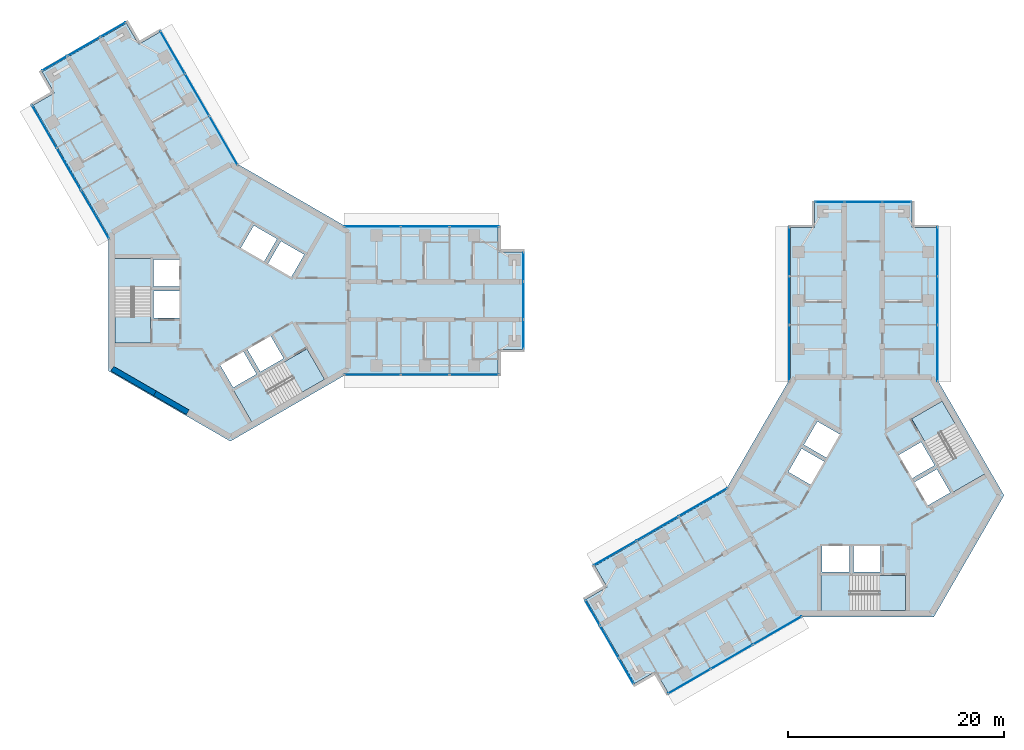
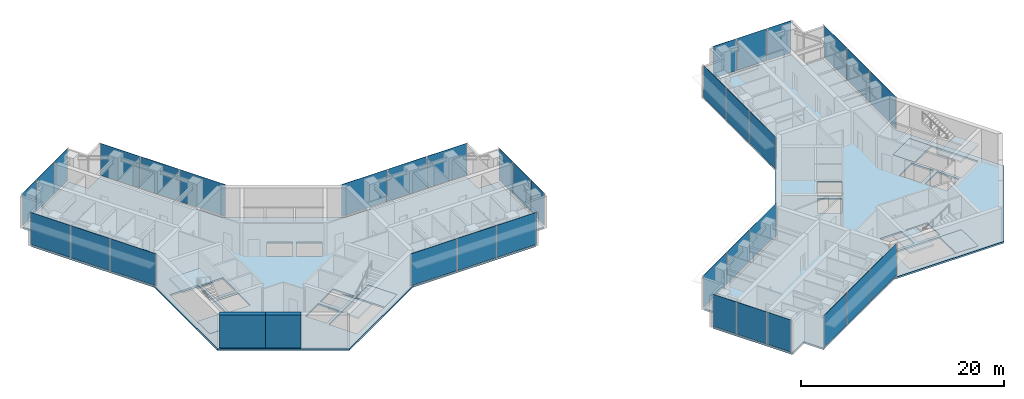
# One storey, part 10 of 17: 36 plates, 10 slabs, 2 walls, 16 elements without a shape of their own.
"""IFC4 building model written with IfcOpenShell, lengths in metres."""

from ifc_helpers import new_model, si_unit, direction, frame, frame_2d, origin, origin_2d, place, context, subcontext, project, spatial, polyline, rectangle, outline, extrude, material, layer, layer_set, type_object, element, aggregate, save


model = new_model("IFC4")

# Units and contexts
model_context = context("Model", 3, precision=1e-05, world=origin(), true_north=direction((0.0, 1.0)))
body_context = subcontext(model_context, "Body", "Model", "MODEL_VIEW")
ifc_project = project(units=[si_unit("LENGTHUNIT", "METRE"), si_unit("AREAUNIT", "SQUARE_METRE"), si_unit("VOLUMEUNIT", "CUBIC_METRE"), si_unit("PLANEANGLEUNIT", "RADIAN"), si_unit("MASSUNIT", "GRAM", prefix="KILO")], contexts=[model_context])

# Site, building, storey
site_placement = place(None, origin())
site = spatial("IfcSite", under=ifc_project, at=site_placement, CompositionType="ELEMENT")
building_placement = place(site_placement, origin())
building = spatial("IfcBuilding", under=site, at=building_placement, Name="Upepo Twin Towers", CompositionType="ELEMENT")
storey_placement = place(building_placement, frame((0.0, 0.0, 230.5)))
storey = spatial("IfcBuildingStorey", under=building, at=storey_placement, Name="L56", CompositionType="ELEMENT", Elevation=230.5)

# Curtain wall, plates
ifc_material_1 = material(Name="Aluminium and fritted glass", Category="aluminium")
curtain_wall_type = type_object("IfcCurtainWallType", Name="Tower curtain wall TW3, fritted glass", PredefinedType="NOTDEFINED", material=ifc_material_1)
curtain_wall_1_placement = place(storey_placement, origin())
curtain_wall_1 = element("IfcCurtainWall", 1, at=curtain_wall_1_placement, inside=storey, type_object=curtain_wall_type, Name="T1 L56 wing A flank L curtain wall", PredefinedType="NOTDEFINED")
ifc_material_2 = material(Name="Ceramic-fritted laminated glass", Category="glass")
ifc_layer_1 = layer(ifc_material_2, 0.031982421875)
ifc_layer_set_1 = layer_set([ifc_layer_1], Name="Fritted glass panel, 60 per cent dot frit, 32 mm double glazed")
plate_type_1 = type_object("IfcPlateType", Name="Fritted glass panel, 60 per cent dot frit, 32 mm double glazed", PredefinedType="CURTAIN_PANEL", material=ifc_layer_set_1)
plate_1_placement = place(storey_placement, frame((13.134765625, 6.85009765625, 0.14990234375), z_axis=(0.0, 0.0, 1.0), x_axis=(1.0, 0.0, 0.0)))
plate_1 = element("IfcPlate", 2, at=plate_1_placement, type_object=plate_type_1, Name="T1 L56 wing A flank L curtain wall panel 1", PredefinedType="CURTAIN_PANEL", context=body_context, shape_type="SweptSolid", body=[
    extrude(rectangle(XDim=5.165283203125, YDim=0.031982421875, at=origin_2d()), origin(), (0.0, 0.0, 1.0), 3.85009765625),
])
plate_2_placement = place(storey_placement, frame((18.0, 6.85009765625, 0.14990234375), z_axis=(0.0, 0.0, 1.0), x_axis=(1.0, 0.0, 0.0)))
plate_2 = element("IfcPlate", 3, at=plate_2_placement, type_object=plate_type_1, Name="T1 L56 wing A flank L curtain wall panel 2", PredefinedType="CURTAIN_PANEL", context=body_context, shape_type="SweptSolid", body=[
    extrude(rectangle(XDim=4.43505859375, YDim=0.031982421875, at=origin_2d()), origin(), (0.0, 0.0, 1.0), 3.85009765625),
])
plate_3_placement = place(storey_placement, frame((22.53369140625, 6.85009765625, 0.14990234375), z_axis=(0.0, 0.0, 1.0), x_axis=(1.0, 0.0, 0.0)))
plate_3 = element("IfcPlate", 4, at=plate_3_placement, type_object=plate_type_1, Name="T1 L56 wing A flank L curtain wall panel 3", PredefinedType="CURTAIN_PANEL", context=body_context, shape_type="SweptSolid", body=[
    extrude(rectangle(XDim=4.50244140625, YDim=0.031982421875, at=origin_2d()), origin(), (0.0, 0.0, 1.0), 3.85009765625),
])
aggregate(curtain_wall_1, [plate_1, plate_2, plate_3])

curtain_wall_2_placement = place(storey_placement, origin())
curtain_wall_2 = element("IfcCurtainWall", 5, at=curtain_wall_2_placement, inside=storey, type_object=curtain_wall_type, Name="T1 L56 wing A flank R curtain wall", PredefinedType="NOTDEFINED")
plate_4_placement = place(storey_placement, frame((22.53369140625, -6.85009765625, 0.14990234375), z_axis=(0.0, 0.0, 1.0), x_axis=(-1.0, 0.0, 0.0)))
plate_4 = element("IfcPlate", 6, at=plate_4_placement, type_object=plate_type_1, Name="T1 L56 wing A flank R curtain wall panel 1", PredefinedType="CURTAIN_PANEL", context=body_context, shape_type="SweptSolid", body=[
    extrude(rectangle(XDim=4.50244140625, YDim=0.031982421875, at=origin_2d()), origin(), (0.0, 0.0, 1.0), 3.85009765625),
])
plate_5_placement = place(storey_placement, frame((18.0, -6.85009765625, 0.14990234375), z_axis=(0.0, 0.0, 1.0), x_axis=(-1.0, 0.0, 0.0)))
plate_5 = element("IfcPlate", 7, at=plate_5_placement, type_object=plate_type_1, Name="T1 L56 wing A flank R curtain wall panel 2", PredefinedType="CURTAIN_PANEL", context=body_context, shape_type="SweptSolid", body=[
    extrude(rectangle(XDim=4.43505859375, YDim=0.031982421875, at=origin_2d()), origin(), (0.0, 0.0, 1.0), 3.85009765625),
])
plate_6_placement = place(storey_placement, frame((13.134765625, -6.85009765625, 0.14990234375), z_axis=(0.0, 0.0, 1.0), x_axis=(-1.0, 0.0, 0.0)))
plate_6 = element("IfcPlate", 8, at=plate_6_placement, type_object=plate_type_1, Name="T1 L56 wing A flank R curtain wall panel 3", PredefinedType="CURTAIN_PANEL", context=body_context, shape_type="SweptSolid", body=[
    extrude(rectangle(XDim=5.165283203125, YDim=0.031982421875, at=origin_2d()), origin(), (0.0, 0.0, 1.0), 3.85009765625),
])
aggregate(curtain_wall_2, [plate_4, plate_5, plate_6])

# Curtain wall, plate
curtain_wall_3_placement = place(storey_placement, origin())
curtain_wall_3 = element("IfcCurtainWall", 9, at=curtain_wall_3_placement, inside=storey, type_object=curtain_wall_type, Name="T1 L56 wing A nose curtain wall", PredefinedType="NOTDEFINED")
plate_7_placement = place(storey_placement, frame((27.10009765625, 0.0, 0.14990234375), z_axis=(0.0, 0.0, 1.0), x_axis=(0.0, 1.0, 0.0)))
plate_7 = element("IfcPlate", 10, at=plate_7_placement, type_object=plate_type_1, Name="T1 L56 wing A nose curtain wall panel 2", PredefinedType="CURTAIN_PANEL", context=body_context, shape_type="SweptSolid", body=[
    extrude(rectangle(XDim=3.43505859375, YDim=0.031982421875, at=origin_2d()), origin(), (0.0, 0.0, 1.0), 3.85009765625),
])

# Curtain wall, plates
curtain_wall_4_placement = place(storey_placement, origin())
curtain_wall_4 = element("IfcCurtainWall", 11, at=curtain_wall_4_placement, inside=storey, type_object=curtain_wall_type, Name="T1 L56 wing B flank L curtain wall", PredefinedType="NOTDEFINED")
plate_8_placement = place(storey_placement, frame((-12.499755859375, 7.9501953125, 0.14990234375), z_axis=(0.0, 0.0, 1.0), x_axis=(-0.500000026527, 0.866025388469, 0.0)))
plate_8 = element("IfcPlate", 12, at=plate_8_placement, type_object=plate_type_1, Name="T1 L56 wing B flank L curtain wall panel 1", PredefinedType="CURTAIN_PANEL", context=body_context, shape_type="SweptSolid", body=[
    extrude(rectangle(XDim=5.165283203125, YDim=0.031982421875, at=origin_2d()), origin(), (0.0, 0.0, 1.0), 3.85009765625),
])
plate_9_placement = place(storey_placement, frame((-14.932373046875, 12.16357421875, 0.14990234375), z_axis=(0.0, 0.0, 1.0), x_axis=(-0.500000026527, 0.866025388469, 0.0)))
plate_9 = element("IfcPlate", 13, at=plate_9_placement, type_object=plate_type_1, Name="T1 L56 wing B flank L curtain wall panel 2", PredefinedType="CURTAIN_PANEL", context=body_context, shape_type="SweptSolid", body=[
    extrude(rectangle(XDim=4.43505859375, YDim=0.031982421875, at=origin_2d()), origin(), (0.0, 0.0, 1.0), 3.85009765625),
])
plate_10_placement = place(storey_placement, frame((-17.19921875, 16.08984375, 0.14990234375), z_axis=(0.0, 0.0, 1.0), x_axis=(-0.500000026527, 0.866025388469, 0.0)))
plate_10 = element("IfcPlate", 14, at=plate_10_placement, type_object=plate_type_1, Name="T1 L56 wing B flank L curtain wall panel 3", PredefinedType="CURTAIN_PANEL", context=body_context, shape_type="SweptSolid", body=[
    extrude(rectangle(XDim=4.50244140625, YDim=0.031982421875, at=origin_2d()), origin(), (0.0, 0.0, 1.0), 3.85009765625),
])
aggregate(curtain_wall_4, [plate_8, plate_9, plate_10])

curtain_wall_5_placement = place(storey_placement, origin())
curtain_wall_5 = element("IfcCurtainWall", 15, at=curtain_wall_5_placement, inside=storey, type_object=curtain_wall_type, Name="T1 L56 wing B flank R curtain wall", PredefinedType="NOTDEFINED")
plate_11_placement = place(storey_placement, frame((-5.334716796875, 22.939697265625, 0.14990234375), z_axis=(0.0, 0.0, 1.0), x_axis=(0.500000026527, -0.866025388469, 0.0)))
plate_11 = element("IfcPlate", 16, at=plate_11_placement, type_object=plate_type_1, Name="T1 L56 wing B flank R curtain wall panel 1", PredefinedType="CURTAIN_PANEL", context=body_context, shape_type="SweptSolid", body=[
    extrude(rectangle(XDim=4.50244140625, YDim=0.031982421875, at=origin_2d()), origin(), (0.0, 0.0, 1.0), 3.85009765625),
])
plate_12_placement = place(storey_placement, frame((-3.067626953125, 19.013427734375, 0.14990234375), z_axis=(0.0, 0.0, 1.0), x_axis=(0.500000026527, -0.866025388469, 0.0)))
plate_12 = element("IfcPlate", 17, at=plate_12_placement, type_object=plate_type_1, Name="T1 L56 wing B flank R curtain wall panel 2", PredefinedType="CURTAIN_PANEL", context=body_context, shape_type="SweptSolid", body=[
    extrude(rectangle(XDim=4.43505859375, YDim=0.031982421875, at=origin_2d()), origin(), (0.0, 0.0, 1.0), 3.85009765625),
])
plate_13_placement = place(storey_placement, frame((-0.635009765625, 14.800048828125, 0.14990234375), z_axis=(0.0, 0.0, 1.0), x_axis=(0.500000026527, -0.866025388469, 0.0)))
plate_13 = element("IfcPlate", 18, at=plate_13_placement, type_object=plate_type_1, Name="T1 L56 wing B flank R curtain wall panel 3", PredefinedType="CURTAIN_PANEL", context=body_context, shape_type="SweptSolid", body=[
    extrude(rectangle(XDim=5.165283203125, YDim=0.031982421875, at=origin_2d()), origin(), (0.0, 0.0, 1.0), 3.85009765625),
])
aggregate(curtain_wall_5, [plate_11, plate_12, plate_13])

# Curtain wall, plate
curtain_wall_6_placement = place(storey_placement, origin())
curtain_wall_6 = element("IfcCurtainWall", 19, at=curtain_wall_6_placement, inside=storey, type_object=curtain_wall_type, Name="T1 L56 wing B nose curtain wall", PredefinedType="NOTDEFINED")
plate_14_placement = place(storey_placement, frame((-13.550048828125, 23.46923828125, 0.14990234375), z_axis=(0.0, 0.0, 1.0), x_axis=(-0.866025386174, -0.500000030502, 0.0)))
plate_14 = element("IfcPlate", 20, at=plate_14_placement, type_object=plate_type_1, Name="T1 L56 wing B nose curtain wall panel 2", PredefinedType="CURTAIN_PANEL", context=body_context, shape_type="SweptSolid", body=[
    extrude(rectangle(XDim=3.43505859375, YDim=0.031982421875, at=origin_2d()), origin(), (0.0, 0.0, 1.0), 3.85009765625),
])

# Curtain wall, plates
curtain_wall_7_placement = place(storey_placement, origin())
curtain_wall_7 = element("IfcCurtainWall", 21, at=curtain_wall_7_placement, inside=storey, type_object=curtain_wall_type, Name="T2 L56 wing A flank L curtain wall", PredefinedType="NOTDEFINED")
plate_15_placement = place(storey_placement, frame((51.64990234375, -4.865234375, 0.14990234375), z_axis=(0.0, 0.0, 1.0), x_axis=(0.0, 1.0, 0.0)))
plate_15 = element("IfcPlate", 22, at=plate_15_placement, type_object=plate_type_1, Name="T2 L56 wing A flank L curtain wall panel 1", PredefinedType="CURTAIN_PANEL", context=body_context, shape_type="SweptSolid", body=[
    extrude(rectangle(XDim=5.165283203125, YDim=0.031982421875, at=origin_2d()), origin(), (0.0, 0.0, 1.0), 3.85009765625),
])
plate_16_placement = place(storey_placement, frame((51.64990234375, 0.0, 0.14990234375), z_axis=(0.0, 0.0, 1.0), x_axis=(0.0, 1.0, 0.0)))
plate_16 = element("IfcPlate", 23, at=plate_16_placement, type_object=plate_type_1, Name="T2 L56 wing A flank L curtain wall panel 2", PredefinedType="CURTAIN_PANEL", context=body_context, shape_type="SweptSolid", body=[
    extrude(rectangle(XDim=4.43505859375, YDim=0.031982421875, at=origin_2d()), origin(), (0.0, 0.0, 1.0), 3.85009765625),
])
plate_17_placement = place(storey_placement, frame((51.64990234375, 4.53369140625, 0.14990234375), z_axis=(0.0, 0.0, 1.0), x_axis=(0.0, 1.0, 0.0)))
plate_17 = element("IfcPlate", 24, at=plate_17_placement, type_object=plate_type_1, Name="T2 L56 wing A flank L curtain wall panel 3", PredefinedType="CURTAIN_PANEL", context=body_context, shape_type="SweptSolid", body=[
    extrude(rectangle(XDim=4.50244140625, YDim=0.031982421875, at=origin_2d()), origin(), (0.0, 0.0, 1.0), 3.85009765625),
])
aggregate(curtain_wall_7, [plate_15, plate_16, plate_17])

curtain_wall_8_placement = place(storey_placement, origin())
curtain_wall_8 = element("IfcCurtainWall", 25, at=curtain_wall_8_placement, inside=storey, type_object=curtain_wall_type, Name="T2 L56 wing A flank R curtain wall", PredefinedType="NOTDEFINED")
plate_18_placement = place(storey_placement, frame((65.35009765625, 4.53369140625, 0.14990234375), z_axis=(0.0, 0.0, 1.0), x_axis=(0.0, -1.0, 0.0)))
plate_18 = element("IfcPlate", 26, at=plate_18_placement, type_object=plate_type_1, Name="T2 L56 wing A flank R curtain wall panel 1", PredefinedType="CURTAIN_PANEL", context=body_context, shape_type="SweptSolid", body=[
    extrude(rectangle(XDim=4.50244140625, YDim=0.031982421875, at=origin_2d()), origin(), (0.0, 0.0, 1.0), 3.85009765625),
])
plate_19_placement = place(storey_placement, frame((65.35009765625, 0.0, 0.14990234375), z_axis=(0.0, 0.0, 1.0), x_axis=(0.0, -1.0, 0.0)))
plate_19 = element("IfcPlate", 27, at=plate_19_placement, type_object=plate_type_1, Name="T2 L56 wing A flank R curtain wall panel 2", PredefinedType="CURTAIN_PANEL", context=body_context, shape_type="SweptSolid", body=[
    extrude(rectangle(XDim=4.43505859375, YDim=0.031982421875, at=origin_2d()), origin(), (0.0, 0.0, 1.0), 3.85009765625),
])
plate_20_placement = place(storey_placement, frame((65.35009765625, -4.865234375, 0.14990234375), z_axis=(0.0, 0.0, 1.0), x_axis=(0.0, -1.0, 0.0)))
plate_20 = element("IfcPlate", 28, at=plate_20_placement, type_object=plate_type_1, Name="T2 L56 wing A flank R curtain wall panel 3", PredefinedType="CURTAIN_PANEL", context=body_context, shape_type="SweptSolid", body=[
    extrude(rectangle(XDim=5.165283203125, YDim=0.031982421875, at=origin_2d()), origin(), (0.0, 0.0, 1.0), 3.85009765625),
])
aggregate(curtain_wall_8, [plate_18, plate_19, plate_20])

# Curtain wall, plate
curtain_wall_9_placement = place(storey_placement, origin())
curtain_wall_9 = element("IfcCurtainWall", 29, at=curtain_wall_9_placement, inside=storey, type_object=curtain_wall_type, Name="T2 L56 wing A nose curtain wall", PredefinedType="NOTDEFINED")
plate_21_placement = place(storey_placement, frame((58.5, 9.10009765625, 0.14990234375), z_axis=(0.0, 0.0, 1.0), x_axis=(-1.0, 0.0, 0.0)))
plate_21 = element("IfcPlate", 30, at=plate_21_placement, type_object=plate_type_1, Name="T2 L56 wing A nose curtain wall panel 2", PredefinedType="CURTAIN_PANEL", context=body_context, shape_type="SweptSolid", body=[
    extrude(rectangle(XDim=3.43505859375, YDim=0.031982421875, at=origin_2d()), origin(), (0.0, 0.0, 1.0), 3.85009765625),
])

# Curtain wall, plates
curtain_wall_10_placement = place(storey_placement, origin())
curtain_wall_10 = element("IfcCurtainWall", 31, at=curtain_wall_10_placement, inside=storey, type_object=curtain_wall_type, Name="T2 L56 wing B flank L curtain wall", PredefinedType="NOTDEFINED")
plate_22_placement = place(storey_placement, frame((50.5498046875, -30.499755859375, 0.14990234375), z_axis=(0.0, 0.0, 1.0), x_axis=(-0.866025388469, -0.500000026527, 0.0)))
plate_22 = element("IfcPlate", 32, at=plate_22_placement, type_object=plate_type_1, Name="T2 L56 wing B flank L curtain wall panel 1", PredefinedType="CURTAIN_PANEL", context=body_context, shape_type="SweptSolid", body=[
    extrude(rectangle(XDim=5.165283203125, YDim=0.031982421875, at=origin_2d()), origin(), (0.0, 0.0, 1.0), 3.85009765625),
])
plate_23_placement = place(storey_placement, frame((46.33642578125, -32.932373046875, 0.14990234375), z_axis=(0.0, 0.0, 1.0), x_axis=(-0.866025388469, -0.500000026527, 0.0)))
plate_23 = element("IfcPlate", 33, at=plate_23_placement, type_object=plate_type_1, Name="T2 L56 wing B flank L curtain wall panel 2", PredefinedType="CURTAIN_PANEL", context=body_context, shape_type="SweptSolid", body=[
    extrude(rectangle(XDim=4.43505859375, YDim=0.031982421875, at=origin_2d()), origin(), (0.0, 0.0, 1.0), 3.85009765625),
])
plate_24_placement = place(storey_placement, frame((42.41015625, -35.19921875, 0.14990234375), z_axis=(0.0, 0.0, 1.0), x_axis=(-0.866025388469, -0.500000026527, 0.0)))
plate_24 = element("IfcPlate", 34, at=plate_24_placement, type_object=plate_type_1, Name="T2 L56 wing B flank L curtain wall panel 3", PredefinedType="CURTAIN_PANEL", context=body_context, shape_type="SweptSolid", body=[
    extrude(rectangle(XDim=4.50244140625, YDim=0.031982421875, at=origin_2d()), origin(), (0.0, 0.0, 1.0), 3.85009765625),
])
aggregate(curtain_wall_10, [plate_22, plate_23, plate_24])

curtain_wall_11_placement = place(storey_placement, origin())
curtain_wall_11 = element("IfcCurtainWall", 35, at=curtain_wall_11_placement, inside=storey, type_object=curtain_wall_type, Name="T2 L56 wing B flank R curtain wall", PredefinedType="NOTDEFINED")
plate_25_placement = place(storey_placement, frame((35.560302734375, -23.334716796875, 0.14990234375), z_axis=(0.0, 0.0, 1.0), x_axis=(0.866025388469, 0.500000026527, 0.0)))
plate_25 = element("IfcPlate", 36, at=plate_25_placement, type_object=plate_type_1, Name="T2 L56 wing B flank R curtain wall panel 1", PredefinedType="CURTAIN_PANEL", context=body_context, shape_type="SweptSolid", body=[
    extrude(rectangle(XDim=4.50244140625, YDim=0.031982421875, at=origin_2d()), origin(), (0.0, 0.0, 1.0), 3.85009765625),
])
plate_26_placement = place(storey_placement, frame((39.486572265625, -21.067626953125, 0.14990234375), z_axis=(0.0, 0.0, 1.0), x_axis=(0.866025388469, 0.500000026527, 0.0)))
plate_26 = element("IfcPlate", 37, at=plate_26_placement, type_object=plate_type_1, Name="T2 L56 wing B flank R curtain wall panel 2", PredefinedType="CURTAIN_PANEL", context=body_context, shape_type="SweptSolid", body=[
    extrude(rectangle(XDim=4.43505859375, YDim=0.031982421875, at=origin_2d()), origin(), (0.0, 0.0, 1.0), 3.85009765625),
])
plate_27_placement = place(storey_placement, frame((43.699951171875, -18.635009765625, 0.14990234375), z_axis=(0.0, 0.0, 1.0), x_axis=(0.866025388469, 0.500000026527, 0.0)))
plate_27 = element("IfcPlate", 38, at=plate_27_placement, type_object=plate_type_1, Name="T2 L56 wing B flank R curtain wall panel 3", PredefinedType="CURTAIN_PANEL", context=body_context, shape_type="SweptSolid", body=[
    extrude(rectangle(XDim=5.165283203125, YDim=0.031982421875, at=origin_2d()), origin(), (0.0, 0.0, 1.0), 3.85009765625),
])
aggregate(curtain_wall_11, [plate_25, plate_26, plate_27])

# Curtain wall, plate
curtain_wall_12_placement = place(storey_placement, origin())
curtain_wall_12 = element("IfcCurtainWall", 39, at=curtain_wall_12_placement, inside=storey, type_object=curtain_wall_type, Name="T2 L56 wing B nose curtain wall", PredefinedType="NOTDEFINED")
plate_28_placement = place(storey_placement, frame((35.03076171875, -31.550048828125, 0.14990234375), z_axis=(0.0, 0.0, 1.0), x_axis=(0.500000030502, -0.866025386174, 0.0)))
plate_28 = element("IfcPlate", 40, at=plate_28_placement, type_object=plate_type_1, Name="T2 L56 wing B nose curtain wall panel 2", PredefinedType="CURTAIN_PANEL", context=body_context, shape_type="SweptSolid", body=[
    extrude(rectangle(XDim=3.43505859375, YDim=0.031982421875, at=origin_2d()), origin(), (0.0, 0.0, 1.0), 3.85009765625),
])

# Plate
ifc_material_3 = material(Name="Clear laminated glass in opening sash", Category="glass")
ifc_layer_2 = layer(ifc_material_3, 0.031982421875)
ifc_layer_set_2 = layer_set([ifc_layer_2], Name="Operable glass panel, 32 mm double glazed")
plate_type_2 = type_object("IfcPlateType", Name="Operable glass panel, 32 mm double glazed", PredefinedType="CURTAIN_PANEL", material=ifc_layer_set_2)
plate_29_placement = place(storey_placement, frame((27.10009765625, -3.108642578125, 0.14990234375), z_axis=(0.0, 0.0, 1.0), x_axis=(0.0, 1.0, 0.0)))
plate_29 = element("IfcPlate", 41, at=plate_29_placement, type_object=plate_type_2, Name="T1 L56 wing A nose curtain wall panel 1", PredefinedType="CURTAIN_PANEL", context=body_context, shape_type="SweptSolid", body=[
    extrude(rectangle(XDim=2.652587890625, YDim=0.031982421875, at=origin_2d()), origin(), (0.0, 0.0, 1.0), 3.85009765625),
])

plate_30_placement = place(storey_placement, frame((27.10009765625, 3.108642578125, 0.14990234375), z_axis=(0.0, 0.0, 1.0), x_axis=(0.0, 1.0, 0.0)))
plate_30 = element("IfcPlate", 42, at=plate_30_placement, type_object=plate_type_2, Name="T1 L56 wing A nose curtain wall panel 3", PredefinedType="CURTAIN_PANEL", context=body_context, shape_type="SweptSolid", body=[
    extrude(rectangle(XDim=2.652587890625, YDim=0.031982421875, at=origin_2d()), origin(), (0.0, 0.0, 1.0), 3.85009765625),
])

aggregate(curtain_wall_3, [plate_29, plate_7, plate_30])

plate_31_placement = place(storey_placement, frame((-10.857666015625, 25.023681640625, 0.14990234375), z_axis=(0.0, 0.0, 1.0), x_axis=(-0.866025386174, -0.500000030502, 0.0)))
plate_31 = element("IfcPlate", 43, at=plate_31_placement, type_object=plate_type_2, Name="T1 L56 wing B nose curtain wall panel 1", PredefinedType="CURTAIN_PANEL", context=body_context, shape_type="SweptSolid", body=[
    extrude(rectangle(XDim=2.652587890625, YDim=0.031982421875, at=origin_2d()), origin(), (0.0, 0.0, 1.0), 3.85009765625),
])

plate_32_placement = place(storey_placement, frame((-16.2421875, 21.914794921875, 0.14990234375), z_axis=(0.0, 0.0, 1.0), x_axis=(-0.866025386174, -0.500000030502, 0.0)))
plate_32 = element("IfcPlate", 44, at=plate_32_placement, type_object=plate_type_2, Name="T1 L56 wing B nose curtain wall panel 3", PredefinedType="CURTAIN_PANEL", context=body_context, shape_type="SweptSolid", body=[
    extrude(rectangle(XDim=2.652587890625, YDim=0.031982421875, at=origin_2d()), origin(), (0.0, 0.0, 1.0), 3.85009765625),
])

aggregate(curtain_wall_6, [plate_31, plate_14, plate_32])

plate_33_placement = place(storey_placement, frame((61.608642578125, 9.10009765625, 0.14990234375), z_axis=(0.0, 0.0, 1.0), x_axis=(-1.0, 0.0, 0.0)))
plate_33 = element("IfcPlate", 45, at=plate_33_placement, type_object=plate_type_2, Name="T2 L56 wing A nose curtain wall panel 1", PredefinedType="CURTAIN_PANEL", context=body_context, shape_type="SweptSolid", body=[
    extrude(rectangle(XDim=2.652587890625, YDim=0.031982421875, at=origin_2d()), origin(), (0.0, 0.0, 1.0), 3.85009765625),
])

plate_34_placement = place(storey_placement, frame((55.391357421875, 9.10009765625, 0.14990234375), z_axis=(0.0, 0.0, 1.0), x_axis=(-1.0, 0.0, 0.0)))
plate_34 = element("IfcPlate", 46, at=plate_34_placement, type_object=plate_type_2, Name="T2 L56 wing A nose curtain wall panel 3", PredefinedType="CURTAIN_PANEL", context=body_context, shape_type="SweptSolid", body=[
    extrude(rectangle(XDim=2.652587890625, YDim=0.031982421875, at=origin_2d()), origin(), (0.0, 0.0, 1.0), 3.85009765625),
])

aggregate(curtain_wall_9, [plate_33, plate_21, plate_34])

plate_35_placement = place(storey_placement, frame((33.476318359375, -28.857666015625, 0.14990234375), z_axis=(0.0, 0.0, 1.0), x_axis=(0.500000030502, -0.866025386174, 0.0)))
plate_35 = element("IfcPlate", 47, at=plate_35_placement, type_object=plate_type_2, Name="T2 L56 wing B nose curtain wall panel 1", PredefinedType="CURTAIN_PANEL", context=body_context, shape_type="SweptSolid", body=[
    extrude(rectangle(XDim=2.652587890625, YDim=0.031982421875, at=origin_2d()), origin(), (0.0, 0.0, 1.0), 3.85009765625),
])

plate_36_placement = place(storey_placement, frame((36.585205078125, -34.2421875, 0.14990234375), z_axis=(0.0, 0.0, 1.0), x_axis=(0.500000030502, -0.866025386174, 0.0)))
plate_36 = element("IfcPlate", 48, at=plate_36_placement, type_object=plate_type_2, Name="T2 L56 wing B nose curtain wall panel 3", PredefinedType="CURTAIN_PANEL", context=body_context, shape_type="SweptSolid", body=[
    extrude(rectangle(XDim=2.652587890625, YDim=0.031982421875, at=origin_2d()), origin(), (0.0, 0.0, 1.0), 3.85009765625),
])

aggregate(curtain_wall_12, [plate_35, plate_28, plate_36])

# Stair, slabs
ifc_material_4 = material(Name="Concrete C40/50", Category="concrete")
stair_type = type_object("IfcStairType", Name="Core stair, two flights", PredefinedType="HALF_TURN_STAIR", material=ifc_material_4)
stair_1_placement = place(storey_placement, origin())
stair_1 = element("IfcStair", 49, at=stair_1_placement, inside=storey, type_object=stair_type, Name="T1 stair S1 L56", PredefinedType="HALF_TURN_STAIR")
ifc_material_5 = material(Name="Concrete C40/50", Category="concrete")
ifc_layer_3 = layer(ifc_material_5, 0.199951171875)
ifc_layer_set_3 = layer_set([ifc_layer_3], Name="Concrete C40/50")
slab_type_1 = type_object("IfcSlabType", Name="Stair landing 200 RC", PredefinedType="LANDING", material=ifc_layer_set_3)
slab_1_placement = place(storey_placement, frame((0.0, 0.0, -0.199951171875)))
slab_1 = element("IfcSlab", 50, at=slab_1_placement, type_object=slab_type_1, Name="Stair S1 landing 1", PredefinedType="LANDING", context=body_context, shape_type="SweptSolid", body=[
    extrude(outline(polyline([(-7.39990234375, -1.419921875), (-10.658447265625, -1.419921875), (-10.658447265625, -3.89990234375), (-7.39990234375, -3.89990234375), (-7.39990234375, -1.419921875)])), origin(), (0.0, 0.0, 1.0), 0.199951171875),
])
slab_2_placement = place(storey_placement, frame((0.0, 0.0, 1.800048828125)))
slab_2 = element("IfcSlab", 51, at=slab_2_placement, type_object=slab_type_1, Name="Stair S1 landing 2", PredefinedType="LANDING", context=body_context, shape_type="SweptSolid", body=[
    extrude(outline(polyline([(-7.300048828125, 3.89990234375), (-10.75830078125, 3.89990234375), (-10.75830078125, 1.179931640625), (-7.300048828125, 1.179931640625), (-7.300048828125, 3.89990234375)])), origin(), (0.0, 0.0, 1.0), 0.199951171875),
])
aggregate(stair_1, [slab_1, slab_2])

stair_2_placement = place(storey_placement, origin())
stair_2 = element("IfcStair", 52, at=stair_2_placement, inside=storey, type_object=stair_type, Name="T1 stair S2 L56", PredefinedType="HALF_TURN_STAIR")
slab_3_placement = place(storey_placement, frame((0.0, 0.0, -0.199951171875)))
slab_3 = element("IfcSlab", 53, at=slab_3_placement, type_object=slab_type_1, Name="Stair S2 landing 1", PredefinedType="LANDING", context=body_context, shape_type="SweptSolid", body=[
    extrude(outline(polyline([(4.9296875, -5.698486328125), (6.558837890625, -8.520263671875), (8.70654296875, -7.2802734375), (7.077392578125, -4.45849609375), (4.9296875, -5.698486328125)])), origin(), (0.0, 0.0, 1.0), 0.199951171875),
])
slab_4_placement = place(storey_placement, frame((0.0, 0.0, 1.800048828125)))
slab_4 = element("IfcSlab", 54, at=slab_4_placement, type_object=slab_type_1, Name="Stair S2 landing 2", PredefinedType="LANDING", context=body_context, shape_type="SweptSolid", body=[
    extrude(outline(polyline([(0.2724609375, -8.27197265625), (2.001708984375, -11.26708984375), (4.357177734375, -9.906982421875), (2.628173828125, -6.911865234375), (0.2724609375, -8.27197265625)])), origin(), (0.0, 0.0, 1.0), 0.199951171875),
])
aggregate(stair_2, [slab_3, slab_4])

stair_3_placement = place(storey_placement, origin())
stair_3 = element("IfcStair", 55, at=stair_3_placement, inside=storey, type_object=stair_type, Name="T2 stair S1 L56", PredefinedType="HALF_TURN_STAIR")
slab_5_placement = place(storey_placement, frame((0.0, 0.0, -0.199951171875)))
slab_5 = element("IfcSlab", 56, at=slab_5_placement, type_object=slab_type_1, Name="Stair S1 landing 1", PredefinedType="LANDING", context=body_context, shape_type="SweptSolid", body=[
    extrude(outline(polyline([(59.919921875, -25.39990234375), (59.919921875, -28.658447265625), (62.39990234375, -28.658447265625), (62.39990234375, -25.39990234375), (59.919921875, -25.39990234375)])), origin(), (0.0, 0.0, 1.0), 0.199951171875),
])
slab_6_placement = place(storey_placement, frame((0.0, 0.0, 1.800048828125)))
slab_6 = element("IfcSlab", 57, at=slab_6_placement, type_object=slab_type_1, Name="Stair S1 landing 2", PredefinedType="LANDING", context=body_context, shape_type="SweptSolid", body=[
    extrude(outline(polyline([(54.60009765625, -25.300048828125), (54.60009765625, -28.75830078125), (57.320068359375, -28.75830078125), (57.320068359375, -25.300048828125), (54.60009765625, -25.300048828125)])), origin(), (0.0, 0.0, 1.0), 0.199951171875),
])
aggregate(stair_3, [slab_5, slab_6])

stair_4_placement = place(storey_placement, origin())
stair_4 = element("IfcStair", 58, at=stair_4_placement, inside=storey, type_object=stair_type, Name="T2 stair S2 L56", PredefinedType="HALF_TURN_STAIR")
slab_7_placement = place(storey_placement, frame((0.0, 0.0, -0.199951171875)))
slab_7 = element("IfcSlab", 59, at=slab_7_placement, type_object=slab_type_1, Name="Stair S2 landing 1", PredefinedType="LANDING", context=body_context, shape_type="SweptSolid", body=[
    extrude(outline(polyline([(64.198486328125, -13.0703125), (67.020263671875, -11.441162109375), (65.7802734375, -9.29345703125), (62.95849609375, -10.922607421875), (64.198486328125, -13.0703125)])), origin(), (0.0, 0.0, 1.0), 0.199951171875),
])
slab_8_placement = place(storey_placement, frame((0.0, 0.0, 1.800048828125)))
slab_8 = element("IfcSlab", 60, at=slab_8_placement, type_object=slab_type_1, Name="Stair S2 landing 2", PredefinedType="LANDING", context=body_context, shape_type="SweptSolid", body=[
    extrude(outline(polyline([(66.77197265625, -17.7275390625), (69.76708984375, -15.998291015625), (68.406982421875, -13.642822265625), (65.411865234375, -15.371826171875), (66.77197265625, -17.7275390625)])), origin(), (0.0, 0.0, 1.0), 0.199951171875),
])
aggregate(stair_4, [slab_7, slab_8])

# Slabs
ifc_material_6 = material(Name="Concrete C40/50", Category="concrete")
ifc_layer_4 = layer(ifc_material_6, 0.199951171875)
ifc_layer_set_4 = layer_set([ifc_layer_4], Name="Concrete C40/50")
slab_type_2 = type_object("IfcSlabType", Name="Tower floor slab 200 RC", PredefinedType="FLOOR", material=ifc_layer_set_4)
slab_9_placement = place(storey_placement, frame((0.0, 0.0, -0.199951171875)))
element("IfcSlab", 61, at=slab_9_placement, inside=storey, type_object=slab_type_2, Name="T1 L56 floor slab", PredefinedType="FLOOR", context=body_context, shape_type="SweptSolid", body=[
    extrude(outline(polyline([(10.825439453125, 6.75), (24.75, 6.75), (24.75, 4.5), (27.0, 4.5), (27.0, -4.5), (24.75, -4.5), (24.75, -6.75), (10.825439453125, -6.75), (0.0, -13.0), (-11.25830078125, -6.5), (-11.25830078125, 6.0), (-18.220703125, 18.05908203125), (-16.272216796875, 19.18408203125), (-17.397216796875, 21.132568359375), (-9.602783203125, 25.632568359375), (-8.477783203125, 23.68408203125), (-6.529296875, 24.80908203125), (0.43310546875, 12.75), (10.825439453125, 6.75)]), holes=[polyline([(5.640869140625, 2.17041015625), (6.8408203125, 4.248779296875), (4.67578125, 5.498779296875), (3.475830078125, 3.42041015625), (5.640869140625, 2.17041015625)]), polyline([(3.12939453125, 3.620361328125), (4.329345703125, 5.69873046875), (2.164306640625, 6.94873046875), (0.96435546875, 4.870361328125), (3.12939453125, 3.620361328125)]), polyline([(-4.699951171875, 3.800048828125), (-7.10009765625, 3.800048828125), (-7.10009765625, 1.300048828125), (-4.699951171875, 1.300048828125), (-4.699951171875, 3.800048828125)]), polyline([(-4.699951171875, 0.89990234375), (-7.10009765625, 0.89990234375), (-7.10009765625, -1.60009765625), (-4.699951171875, -1.60009765625), (-4.699951171875, 0.89990234375)]), polyline([(-7.39990234375, 3.89990234375), (-10.658447265625, 3.89990234375), (-10.658447265625, -3.89990234375), (-7.39990234375, -3.89990234375), (-7.39990234375, 3.89990234375)]), polyline([(-0.94091796875, -5.97021484375), (0.259033203125, -8.048828125), (2.424072265625, -6.798828125), (1.22412109375, -4.72021484375), (-0.94091796875, -5.97021484375)]), polyline([(1.570556640625, -4.520263671875), (2.7705078125, -6.598876953125), (4.935546875, -5.348876953125), (3.735595703125, -3.270263671875), (1.570556640625, -4.520263671875)]), polyline([(0.322509765625, -8.358642578125), (1.95166015625, -11.180419921875), (8.70654296875, -7.2802734375), (7.077392578125, -4.45849609375), (0.322509765625, -8.358642578125)])]), origin(), (0.0, 0.0, 1.0), 0.199951171875),
])
slab_10_placement = place(storey_placement, frame((0.0, 0.0, -0.199951171875)))
element("IfcSlab", 62, at=slab_10_placement, inside=storey, type_object=slab_type_2, Name="T2 L56 floor slab", PredefinedType="FLOOR", context=body_context, shape_type="SweptSolid", body=[
    extrude(outline(polyline([(51.75, -7.174560546875), (51.75, 6.75), (54.0, 6.75), (54.0, 9.0), (63.0, 9.0), (63.0, 6.75), (65.25, 6.75), (65.25, -7.174560546875), (71.5, -18.0), (65.0, -29.25830078125), (52.5, -29.25830078125), (40.44091796875, -36.220703125), (39.31591796875, -34.272216796875), (37.367431640625, -35.397216796875), (32.867431640625, -27.602783203125), (34.81591796875, -26.477783203125), (33.69091796875, -24.529296875), (45.75, -17.56689453125), (51.75, -7.174560546875)]), holes=[polyline([(56.32958984375, -12.359130859375), (54.251220703125, -11.1591796875), (53.001220703125, -13.32421875), (55.07958984375, -14.524169921875), (56.32958984375, -12.359130859375)]), polyline([(54.879638671875, -14.87060546875), (52.80126953125, -13.670654296875), (51.55126953125, -15.835693359375), (53.629638671875, -17.03564453125), (54.879638671875, -14.87060546875)]), polyline([(54.699951171875, -22.699951171875), (54.699951171875, -25.10009765625), (57.199951171875, -25.10009765625), (57.199951171875, -22.699951171875), (54.699951171875, -22.699951171875)]), polyline([(57.60009765625, -22.699951171875), (57.60009765625, -25.10009765625), (60.10009765625, -25.10009765625), (60.10009765625, -22.699951171875), (57.60009765625, -22.699951171875)]), polyline([(54.60009765625, -25.39990234375), (54.60009765625, -28.658447265625), (62.39990234375, -28.658447265625), (62.39990234375, -25.39990234375), (54.60009765625, -25.39990234375)]), polyline([(64.47021484375, -18.94091796875), (66.548828125, -17.740966796875), (65.298828125, -15.575927734375), (63.22021484375, -16.77587890625), (64.47021484375, -18.94091796875)]), polyline([(63.020263671875, -16.429443359375), (65.098876953125, -15.2294921875), (63.848876953125, -13.064453125), (61.770263671875, -14.264404296875), (63.020263671875, -16.429443359375)]), polyline([(66.858642578125, -17.677490234375), (69.680419921875, -16.04833984375), (65.7802734375, -9.29345703125), (62.95849609375, -10.922607421875), (66.858642578125, -17.677490234375)])]), origin(), (0.0, 0.0, 1.0), 0.199951171875),
])

# Walls
ifc_material_7 = material(Name="Concrete C60/75", Category="concrete")
ifc_layer_5 = layer(ifc_material_7, 0.5)
ifc_layer_set_5 = layer_set([ifc_layer_5], Name="Concrete C60/75")
wall_type = type_object("IfcWallType", Name="Core wall 500 RC", PredefinedType="SHEAR", material=ifc_layer_set_5)
wall_1_placement = place(storey_placement, frame((-10.908447265625, -6.2978515625, 0.0), z_axis=(0.0, 0.0, 1.0), x_axis=(0.866034513004, -0.499984222037, 0.0)))
element("IfcWall", 63, at=wall_1_placement, inside=storey, type_object=wall_type, Name="T1 core wall 240 R", PredefinedType="SHEAR", context=body_context, shape_type="SweptSolid", body=[
    extrude(rectangle(XDim=4.548095703125, YDim=0.5, at=frame_2d((2.27392578125, 0.0))), origin(), (0.0, 0.0, 1.0), 4.0),
])
wall_2_placement = place(storey_placement, frame((-6.9697265625, -8.57177734375, 0.0), z_axis=(0.0, 0.0, 1.0), x_axis=(0.866019471182, -0.500010275428, 0.0)))
element("IfcWall", 64, at=wall_2_placement, inside=storey, type_object=wall_type, Name="T1 core wall 240", PredefinedType="SHEAR", context=body_context, shape_type="SweptSolid", body=[
    extrude(rectangle(XDim=3.5, YDim=0.5, at=frame_2d((1.75, 0.0))), origin(), (0.0, 0.0, 1.0), 4.0),
])

save(model, "model.ifc")
